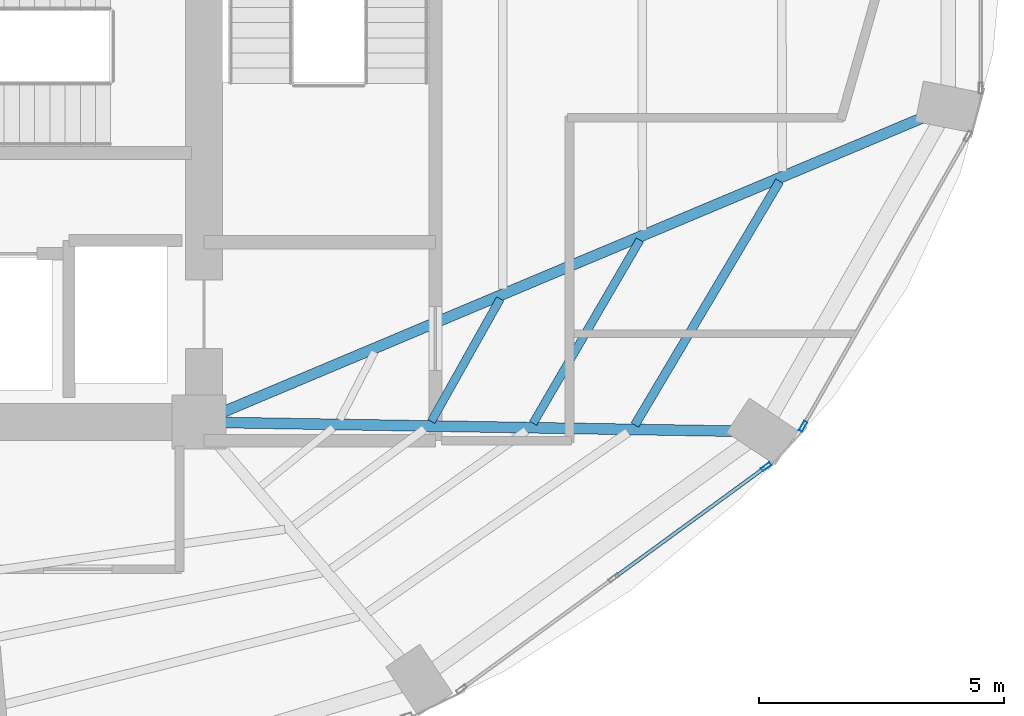
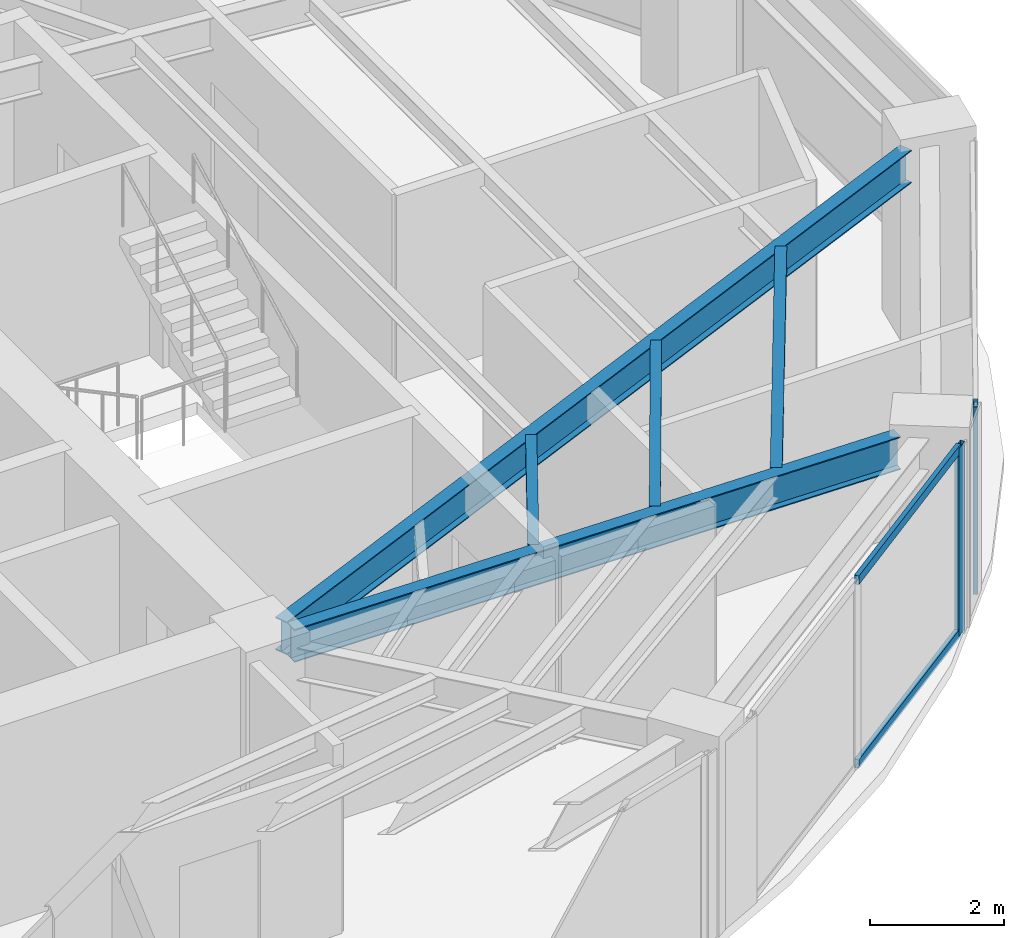
# One storey, part 12 of 24: 5 beams, 4 members, 2 elements without a shape of their own.
"""IFC4 building model written with IfcOpenShell, lengths in metres."""

from ifc_helpers import new_model, si_unit, direction, frame, origin, origin_2d, place, context, subcontext, project, spatial, hollow_rectangle, i_section, extrude, material, layer, layer_set, material_profile, profile_set, type_object, element, aggregate, save


model = new_model("IFC4")

# Units and contexts
model_context = context("Model", 3, precision=1e-05, world=origin(), true_north=direction((0.0, 1.0)))
body_context = subcontext(model_context, "Body", "Model", "MODEL_VIEW")
ifc_project = project(units=[si_unit("LENGTHUNIT", "METRE"), si_unit("AREAUNIT", "SQUARE_METRE"), si_unit("VOLUMEUNIT", "CUBIC_METRE"), si_unit("PLANEANGLEUNIT", "RADIAN"), si_unit("MASSUNIT", "GRAM", prefix="KILO")], contexts=[model_context])

# Site, building, storey
site_placement = place(None, origin())
site = spatial("IfcSite", under=ifc_project, at=site_placement, CompositionType="ELEMENT")
building_placement = place(site_placement, origin())
building = spatial("IfcBuilding", under=site, at=building_placement, Name="Lazwardi Medical Tower", CompositionType="ELEMENT")
storey_placement = place(building_placement, frame((0.0, 0.0, 110.927978515625)))
storey = spatial("IfcBuildingStorey", under=building, at=storey_placement, Name="L28", CompositionType="ELEMENT", Elevation=110.927978515625)

# Beams
ifc_material_1 = material(Name="Steel S355", Category="steel")
ifc_material_profile_1 = material_profile(ifc_material_1, i_section(OverallWidth=0.219970703125, OverallDepth=0.60009765625, WebThickness=0.011962890625, FlangeThickness=0.01904296875, at=origin_2d()), Name="IPE 600")
ifc_profile_set_1 = profile_set([ifc_material_profile_1], Name="Steel S355")
beam_type_1 = type_object("IfcBeamType", Name="BM-RG-W1", PredefinedType="BEAM", material=ifc_profile_set_1)
beam_1_placement = place(storey_placement, frame((56.497802734375, 20.215087890625, 3.1279296875), z_axis=(-0.99985616395, 0.016960289263, 0.0), x_axis=(-0.016960289263, -0.99985616395, 0.0)))
element("IfcBeam", 1, at=beam_1_placement, inside=storey, type_object=beam_type_1, Name="Radial girder RG-02 R03 L28", PredefinedType="BEAM", context=body_context, shape_type="SweptSolid", body=[
    extrude(i_section(OverallWidth=0.219970703125, OverallDepth=0.60009765625, WebThickness=0.011962890625, FlangeThickness=0.01904296875, at=origin_2d()), origin(), (0.0, 0.0, 1.0), 10.3642578125),
])
beam_2_placement = place(storey_placement, frame((60.328369140625, 26.59521484375, 3.1279296875), z_axis=(-0.921775176005, -0.38772480563, 0.0), x_axis=(0.38772480563, -0.921775176005, 0.0)))
element("IfcBeam", 2, at=beam_2_placement, inside=storey, type_object=beam_type_1, Name="Radial girder RG-02 R04 L28", PredefinedType="BEAM", context=body_context, shape_type="SweptSolid", body=[
    extrude(i_section(OverallWidth=0.219970703125, OverallDepth=0.60009765625, WebThickness=0.011962890625, FlangeThickness=0.01904296875, at=origin_2d()), origin(), (0.0, 0.0, 1.0), 15.443359375),
])
ifc_material_profile_2 = material_profile(ifc_material_1, i_section(OverallWidth=0.179931640625, OverallDepth=0.39990234375, WebThickness=0.008544921875, FlangeThickness=0.013427734375, at=origin_2d()), Name="IPE 400")
ifc_profile_set_2 = profile_set([ifc_material_profile_2], Name="Steel S355")
beam_type_2 = type_object("IfcBeamType", Name="BM-SJ-01", PredefinedType="JOIST", material=ifc_profile_set_2)
beam_3_placement = place(storey_placement, frame((54.47900390625, 20.340576171875, 3.22802734375), z_axis=(0.510499691073, 0.859877936346, 0.0), x_axis=(-0.859877936346, 0.510499691073, 0.0)))
element("IfcBeam", 3, at=beam_3_placement, inside=storey, type_object=beam_type_2, Name="Secondary joist SJ-01 R1 B03 L28", PredefinedType="JOIST", context=body_context, shape_type="SweptSolid", body=[
    extrude(i_section(OverallWidth=0.179931640625, OverallDepth=0.39990234375, WebThickness=0.008544921875, FlangeThickness=0.013427734375, at=origin_2d()), origin(), (0.0, 0.0, 1.0), 5.776123046875),
])
ifc_material_profile_3 = material_profile(ifc_material_1, i_section(OverallWidth=0.169921875, OverallDepth=0.360107421875, WebThickness=0.008056640625, FlangeThickness=0.0126953125, at=origin_2d()), Name="IPE 360")
ifc_profile_set_3 = profile_set([ifc_material_profile_3], Name="Steel S355")
beam_type_3 = type_object("IfcBeamType", Name="BM-SJ-02", PredefinedType="JOIST", material=ifc_profile_set_3)
beam_4_placement = place(storey_placement, frame((52.405517578125, 20.376220703125, 3.248046875), z_axis=(0.503544274258, 0.86396942299, 0.0), x_axis=(-0.86396942299, 0.503544274258, 0.0)))
element("IfcBeam", 4, at=beam_4_placement, inside=storey, type_object=beam_type_3, Name="Secondary joist SJ-02 R2 B03 L28", PredefinedType="JOIST", context=body_context, shape_type="SweptSolid", body=[
    extrude(i_section(OverallWidth=0.169921875, OverallDepth=0.360107421875, WebThickness=0.008056640625, FlangeThickness=0.0126953125, at=origin_2d()), origin(), (0.0, 0.0, 1.0), 4.321044921875),
])
beam_5_placement = place(storey_placement, frame((50.33154296875, 20.412109375, 3.248046875), z_axis=(0.489860824278, 0.871800649711, 0.0), x_axis=(-0.871800649711, 0.489860824278, 0.0)))
element("IfcBeam", 5, at=beam_5_placement, inside=storey, type_object=beam_type_3, Name="Secondary joist SJ-02 R3 B03 L28", PredefinedType="JOIST", context=body_context, shape_type="SweptSolid", body=[
    extrude(i_section(OverallWidth=0.169921875, OverallDepth=0.360107421875, WebThickness=0.008056640625, FlangeThickness=0.0126953125, at=origin_2d()), origin(), (0.0, 0.0, 1.0), 2.8662109375),
])

# Curtain wall, member
ifc_material_2 = material(Name="Anodised bronze aluminium and solar control glazing", Category="aluminium")
ifc_layer = layer(ifc_material_2, 0.195068359375)
ifc_layer_set = layer_set([ifc_layer], Name="Anodised bronze aluminium and solar control glazing")
curtain_wall_type = type_object("IfcCurtainWallType", Name="CW-SYS-03", PredefinedType="NOTDEFINED", material=ifc_layer_set)
curtain_wall_1_placement = place(storey_placement, origin())
curtain_wall_1 = element("IfcCurtainWall", 6, at=curtain_wall_1_placement, inside=storey, type_object=curtain_wall_type, Name="L28 Unitised bronze curtain wall CW-03", PredefinedType="NOTDEFINED")
ifc_material_3 = material(Name="Anodised bronze aluminium", Category="aluminium")
ifc_material_profile_4 = material_profile(ifc_material_3, hollow_rectangle(XDim=0.074951171875, YDim=0.219970703125, WallThickness=0.00390625, at=origin_2d()), Name="ALU-MULLION 220x75x4")
ifc_profile_set_4 = profile_set([ifc_material_profile_4], Name="Anodised bronze aluminium")
member_type_1 = type_object("IfcMemberType", Name="CW-MUL-01", PredefinedType="MULLION", material=ifc_profile_set_4)
member_1_placement = place(storey_placement, frame((57.155029296875, 19.4912109375, 0.0), z_axis=(0.0, 0.0, 1.0), x_axis=(-0.589530882802, 0.807745837639, 0.0)))
member_1 = element("IfcMember", 7, at=member_1_placement, type_object=member_type_1, Name="CW-03 mullion 3", PredefinedType="MULLION", context=body_context, shape_type="SweptSolid", body=[
    extrude(hollow_rectangle(XDim=0.074951171875, YDim=0.219970703125, WallThickness=0.00390625, at=origin_2d()), origin(), (0.0, 0.0, 1.0), 3.427978515625),
])

curtain_wall_2_placement = place(storey_placement, origin())
curtain_wall_2 = element("IfcCurtainWall", 8, at=curtain_wall_2_placement, inside=storey, type_object=curtain_wall_type, Name="L28 Unitised bronze curtain wall CW-03", PredefinedType="NOTDEFINED")
member_2_placement = place(storey_placement, frame((57.9072265625, 20.314208984375, 0.0), z_axis=(0.0, 0.0, 1.0), x_axis=(-0.869687265712, 0.493603140041, 0.0)))
member_2 = element("IfcMember", 9, at=member_2_placement, type_object=member_type_1, Name="CW-03 mullion 1", PredefinedType="MULLION", context=body_context, shape_type="SweptSolid", body=[
    extrude(hollow_rectangle(XDim=0.074951171875, YDim=0.219970703125, WallThickness=0.00390625, at=origin_2d()), origin(), (0.0, 0.0, 1.0), 3.427978515625),
])
aggregate(curtain_wall_2, [member_2])

# Member
ifc_material_profile_5 = material_profile(ifc_material_3, hollow_rectangle(XDim=0.074951171875, YDim=0.159912109375, WallThickness=0.00390625, at=origin_2d()), Name="ALU-TRANSOM 160x75x4")
ifc_profile_set_5 = profile_set([ifc_material_profile_5], Name="Anodised bronze aluminium")
member_type_2 = type_object("IfcMemberType", Name="CW-TRN-01", PredefinedType="USERDEFINED", material=ifc_profile_set_5)
member_3_placement = place(storey_placement, frame((54.081298828125, 17.247802734375, 0.03759765625), z_axis=(0.807731734271, 0.589550206049, 0.0), x_axis=(-0.589550206049, 0.807731734271, 0.0)))
member_3 = element("IfcMember", 10, at=member_3_placement, type_object=member_type_2, Name="CW-03 transom 2.1", ObjectType="TRANSOM", PredefinedType="USERDEFINED", context=body_context, shape_type="SweptSolid", body=[
    extrude(hollow_rectangle(XDim=0.074951171875, YDim=0.159912109375, WallThickness=0.00390625, at=origin_2d()), origin(), (0.0, 0.0, 1.0), 3.767578125),
])

member_4_placement = place(storey_placement, frame((54.081298828125, 17.247802734375, 3.390625), z_axis=(0.807731734271, 0.589550206049, 0.0), x_axis=(-0.589550206049, 0.807731734271, 0.0)))
member_4 = element("IfcMember", 11, at=member_4_placement, type_object=member_type_2, Name="CW-03 transom 2.2", ObjectType="TRANSOM", PredefinedType="USERDEFINED", context=body_context, shape_type="SweptSolid", body=[
    extrude(hollow_rectangle(XDim=0.074951171875, YDim=0.159912109375, WallThickness=0.00390625, at=origin_2d()), origin(), (0.0, 0.0, 1.0), 3.767578125),
])

aggregate(curtain_wall_1, [member_1, member_3, member_4])

save(model, "model.ifc")
